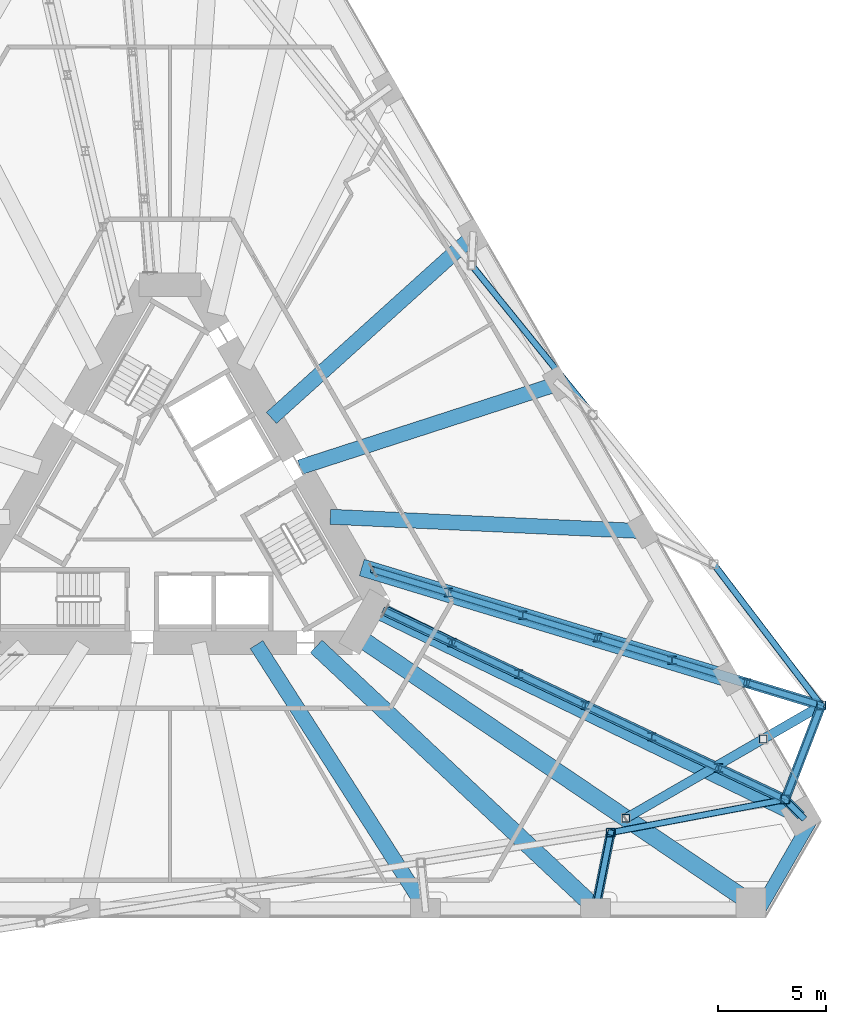
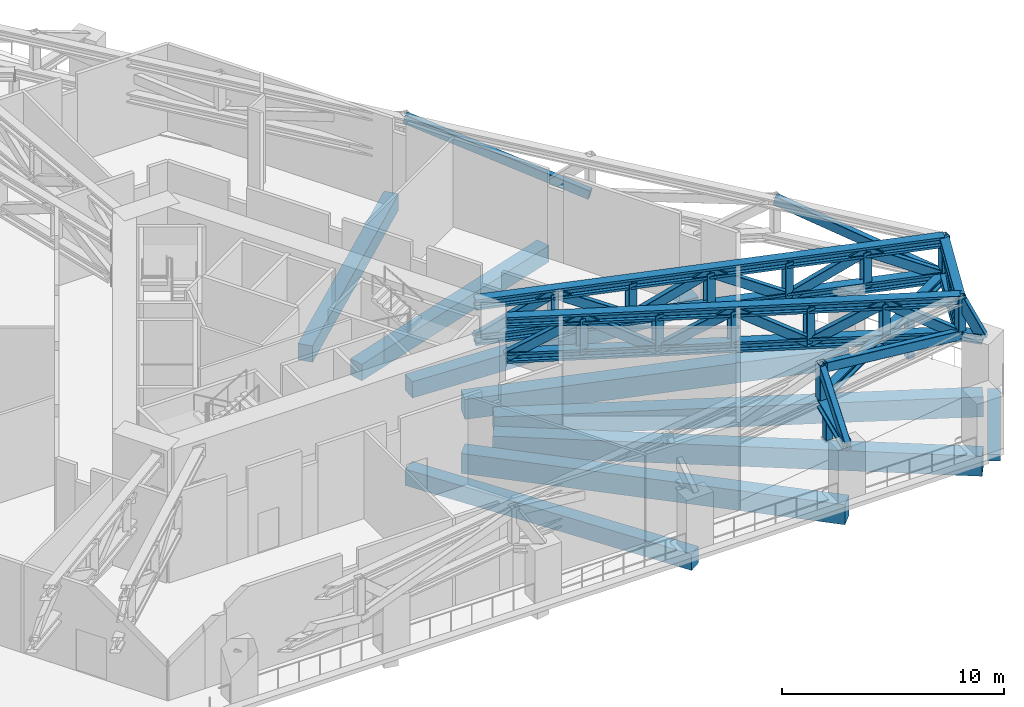
# One storey, part 6 of 20: 42 members, 9 beams.
"""IFC4 building model written with IfcOpenShell, lengths in metres."""

from ifc_helpers import new_model, si_unit, direction, frame, origin, origin_2d, place, context, subcontext, project, spatial, rectangle, hollow_rectangle, i_section, extrude, material, material_profile, profile_set, type_object, element, save


model = new_model("IFC4")

# Units and contexts
model_context = context("Model", 3, precision=1e-05, world=origin(), true_north=direction((0.0, 1.0)))
body_context = subcontext(model_context, "Body", "Model", "MODEL_VIEW")
ifc_project = project(units=[si_unit("LENGTHUNIT", "METRE"), si_unit("AREAUNIT", "SQUARE_METRE"), si_unit("VOLUMEUNIT", "CUBIC_METRE"), si_unit("PLANEANGLEUNIT", "RADIAN"), si_unit("MASSUNIT", "GRAM", prefix="KILO")], contexts=[model_context])

# Site, building, storey
site_placement = place(None, origin())
site = spatial("IfcSite", under=ifc_project, at=site_placement, CompositionType="ELEMENT")
building_placement = place(site_placement, origin())
building = spatial("IfcBuilding", under=site, at=building_placement, Name="Tramontana Tower", CompositionType="ELEMENT")
storey_placement = place(building_placement, frame((0.0, 0.0, 46.0)))
storey = spatial("IfcBuildingStorey", under=building, at=storey_placement, Name="L09", CompositionType="ELEMENT", Elevation=46.0)

# Members
ifc_material_1 = material(Name="Steel ASTM A500 Grade C", Category="steel")
ifc_material_profile_1 = material_profile(ifc_material_1, hollow_rectangle(XDim=0.406494140625, YDim=0.406494140625, WallThickness=0.0146484375, InnerFilletRadius=0.0146484375, OuterFilletRadius=0.029541015625, at=origin_2d()), Name="HSS16X16X5/8")
ifc_profile_set_1 = profile_set([ifc_material_profile_1], Name="Steel ASTM A500 Grade C")
member_type_1 = type_object("IfcMemberType", Name="Belt truss HSS16X16X5/8 post", PredefinedType="POST", material=ifc_profile_set_1)
for number, where, z_axis, x_axis, name in (
    (1, (20.501220703125, -15.02783203125, 2.8984375), (0.0, 0.0, 1.0), (1.0, 0.0, 0.0), "Belt truss post C1F10"),
    (2, (28.609375, -13.490478515625, 2.8984375), (0.0, 0.0, 1.0), (1.0, 0.0, 0.0), "Belt truss post C1K4"),
    (3, (30.287841796875, -9.117919921875, 2.8984375), (0.0, 0.0, 1.0), (1.0, 0.0, 0.0), "Belt truss post C1K5"),
):
    element("IfcMember", number, at=place(storey_placement, frame(where, z_axis=z_axis, x_axis=x_axis)), inside=storey, type_object=member_type_1, Name=name, PredefinedType="POST", context=body_context, shape_type="SweptSolid", body=[
        extrude(hollow_rectangle(XDim=0.406494140625, YDim=0.406494140625, WallThickness=0.0146484375, InnerFilletRadius=0.0146484375, OuterFilletRadius=0.029541015625, at=origin_2d()), origin(), (0.0, 0.0, 1.0), 1.95166015625),
    ])
ifc_material_2 = material(Name="Steel ASTM A500 Grade C", Category="steel")
ifc_material_profile_2 = material_profile(ifc_material_2, hollow_rectangle(XDim=0.3046875, YDim=0.508056640625, WallThickness=0.0146484375, InnerFilletRadius=0.0146484375, OuterFilletRadius=0.029541015625, at=origin_2d()), Name="HSS20X12X5/8")
ifc_profile_set_2 = profile_set([ifc_material_profile_2], Name="Steel ASTM A500 Grade C")
member_type_2 = type_object("IfcMemberType", Name="Belt truss HSS20X12X5/8 brace", PredefinedType="BRACE", material=ifc_profile_set_2)
for number, where, z_axis, x_axis, name in (
    (4, (20.501220703125, -15.02783203125, 4.600830078125), (0.956122354274, 0.181286395016, -0.230141883715), (-0.186286877718, 0.982495393979, 0.0), "Belt truss diagonal S1.6"),
    (5, (30.287841796875, -9.117919921875, 2.649169921875), (-0.58923288346, 0.774492745925, 0.230142554863), (-0.795855965763, -0.605485988078, 0.0), "Belt truss diagonal S2.1"),
):
    element("IfcMember", number, at=place(storey_placement, frame(where, z_axis=z_axis, x_axis=x_axis)), inside=storey, type_object=member_type_2, Name=name, PredefinedType="BRACE", context=body_context, shape_type="SweptSolid", body=[
        extrude(hollow_rectangle(XDim=0.3046875, YDim=0.508056640625, WallThickness=0.0146484375, InnerFilletRadius=0.0146484375, OuterFilletRadius=0.029541015625, at=origin_2d()), origin(), (0.0, 0.0, 1.0), 8.480224609375),
    ])
member_1_placement = place(storey_placement, frame((19.6591796875, 4.404541015625, 2.649169921875), z_axis=(-0.614859306605, 0.759304730045, 0.213082988555), x_axis=(-0.777152739185, -0.629312021161, 0.0)))
element("IfcMember", 6, at=member_1_placement, inside=storey, type_object=member_type_2, Name="Belt truss diagonal S2.3", PredefinedType="BRACE", context=body_context, shape_type="SweptSolid", body=[
    extrude(hollow_rectangle(XDim=0.3046875, YDim=0.508056640625, WallThickness=0.0146484375, InnerFilletRadius=0.0146484375, OuterFilletRadius=0.029541015625, at=origin_2d()), origin(), (0.0, 0.0, 1.0), 9.1591796875),
])
member_2_placement = place(storey_placement, frame((28.609375, -13.490478515625, 2.649169921875), z_axis=(0.330797421865, 0.861757356451, 0.384639213147), x_axis=(-0.933580511384, 0.358367728407, 0.0)))
element("IfcMember", 7, at=member_2_placement, inside=storey, type_object=member_type_2, Name="Belt truss diagonal K2.1", PredefinedType="BRACE", context=body_context, shape_type="SweptSolid", body=[
    extrude(hollow_rectangle(XDim=0.3046875, YDim=0.508056640625, WallThickness=0.0146484375, InnerFilletRadius=0.0146484375, OuterFilletRadius=0.029541015625, at=origin_2d()), origin(), (0.0, 0.0, 1.0), 5.073974609375),
])
ifc_material_3 = material(Name="Steel ASTM A992 Grade 50", Category="steel")
ifc_material_profile_3 = material_profile(ifc_material_3, i_section(OverallWidth=0.431884765625, OverallDepth=0.49853515625, WebThickness=0.0556640625, FlangeThickness=0.0888671875, FilletRadius=0.01513671875, at=origin_2d()), Name="W14X500")
ifc_profile_set_3 = profile_set([ifc_material_profile_3], Name="Steel ASTM A992 Grade 50")
member_type_3 = type_object("IfcMemberType", Name="Belt truss W14X500 chord", PredefinedType="CHORD", material=ifc_profile_set_3)
for number, where, z_axis, x_axis, name in (
    (8, (28.609375, -13.490478515625, 2.649169921875), (0.358367728407, 0.933580511384, 0.0), (-0.933580511384, 0.358367728407, 0.0), "Belt truss bottom chord K2"),
    (9, (28.609375, -13.490478515625, 4.600830078125), (0.358367728407, 0.933580511384, 0.0), (-0.933580511384, 0.358367728407, 0.0), "Belt truss top chord K2"),
):
    element("IfcMember", number, at=place(storey_placement, frame(where, z_axis=z_axis, x_axis=x_axis)), inside=storey, type_object=member_type_3, Name=name, PredefinedType="CHORD", context=body_context, shape_type="SweptSolid", body=[
        extrude(i_section(OverallWidth=0.431884765625, OverallDepth=0.49853515625, WebThickness=0.0556640625, FlangeThickness=0.0888671875, FilletRadius=0.01513671875, at=origin_2d()), origin(), (0.0, 0.0, 1.0), 4.68359375),
    ])

# Beams
ifc_material_4 = material(Name="Concrete 40 MPa", Category="concrete")
ifc_material_profile_4 = material_profile(ifc_material_4, rectangle(XDim=0.60009765625, YDim=0.35009765625, at=origin_2d()), Name="RC EDGE BEAM 600X350 40 MPa")
ifc_profile_set_4 = profile_set([ifc_material_profile_4], Name="Concrete 40 MPa")
beam_type_1 = type_object("IfcBeamType", Name="RC EDGE BEAM 600X350 40 MPa", PredefinedType="SPANDREL", material=ifc_profile_set_4)
beam_1_placement = place(storey_placement, frame((27.322998046875, -18.77490234375, -0.52490234375), z_axis=(0.50000986103, 0.866019710441, 0.0), x_axis=(-0.866019710441, 0.50000986103, 0.0)))
element("IfcBeam", 10, at=beam_1_placement, inside=storey, type_object=beam_type_1, Name="Spandrel beam K2 L09", PredefinedType="SPANDREL", context=body_context, shape_type="SweptSolid", body=[
    extrude(rectangle(XDim=0.60009765625, YDim=0.35009765625, at=origin_2d()), origin(), (0.0, 0.0, 1.0), 5.1962890625),
])
ifc_material_5 = material(Name="Concrete 40 MPa", Category="concrete")
ifc_material_profile_5 = material_profile(ifc_material_5, rectangle(XDim=0.699951171875, YDim=0.89990234375, at=origin_2d()), Name="RC GIRDER 700X900 40 MPa")
ifc_profile_set_5 = profile_set([ifc_material_profile_5], Name="Concrete 40 MPa")
beam_type_2 = type_object("IfcBeamType", Name="RC GIRDER 700X900 40 MPa", PredefinedType="BEAM", material=ifc_profile_set_5)
for number, where, z_axis, x_axis, name in (
    (11, (11.876953125, -18.550048828125, -0.800048828125), (-0.539217827497, 0.84216633423, 0.0), (-0.84216633423, -0.539217827497, 0.0), "Radial girder C0F11 L09"),
    (12, (22.003173828125, -1.0107421875, -0.800048828125), (-0.998946541736, 0.045889070085, 0.0), (-0.045889070085, -0.998946541736, 0.0), "Radial girder C0F14 L09"),
):
    element("IfcBeam", number, at=place(storey_placement, frame(where, z_axis=z_axis, x_axis=x_axis)), inside=storey, type_object=beam_type_2, Name=name, PredefinedType="BEAM", context=body_context, shape_type="SweptSolid", body=[
        extrude(rectangle(XDim=0.699951171875, YDim=0.89990234375, at=origin_2d()), origin(), (0.0, 0.0, 1.0), 14.5615234375),
    ])
beam_2_placement = place(storey_placement, frame((18.044189453125, 5.846435546875, -0.800048828125), z_axis=(-0.951314408854, -0.30822215285, 0.0), x_axis=(0.30822215285, -0.951314408854, 0.0)))
element("IfcBeam", 13, at=beam_2_placement, inside=storey, type_object=beam_type_2, Name="Radial girder C0F15 L09", PredefinedType="BEAM", context=body_context, shape_type="SweptSolid", body=[
    extrude(rectangle(XDim=0.699951171875, YDim=0.89990234375, at=origin_2d()), origin(), (0.0, 0.0, 1.0), 12.61572265625),
])
beam_3_placement = place(storey_placement, frame((14.085205078125, 12.70361328125, -0.800048828125), z_axis=(-0.742588406407, -0.669748056116, 0.0), x_axis=(0.669748056116, -0.742588406407, 0.0)))
element("IfcBeam", 14, at=beam_3_placement, inside=storey, type_object=beam_type_2, Name="Radial girder C0F16 L09", PredefinedType="BEAM", context=body_context, shape_type="SweptSolid", body=[
    extrude(rectangle(XDim=0.699951171875, YDim=0.89990234375, at=origin_2d()), origin(), (0.0, 0.0, 1.0), 12.615966796875),
])
ifc_material_6 = material(Name="Concrete 40 MPa", Category="concrete")
ifc_material_profile_6 = material_profile(ifc_material_6, rectangle(XDim=0.800048828125, YDim=1.10009765625, at=origin_2d()), Name="RC GIRDER 800X1100 40 MPa")
ifc_profile_set_6 = profile_set([ifc_material_profile_6], Name="Concrete 40 MPa")
beam_type_3 = type_object("IfcBeamType", Name="RC GIRDER 800X1100 40 MPa", PredefinedType="BEAM", material=ifc_profile_set_6)
beam_4_placement = place(storey_placement, frame((19.794921875, -18.550048828125, -0.89990234375), z_axis=(-0.72967229952, 0.683796998614, 0.0), x_axis=(-0.683796998614, -0.72967229952, 0.0)))
element("IfcBeam", 15, at=beam_4_placement, inside=storey, type_object=beam_type_3, Name="Radial girder C0F12 L09", PredefinedType="BEAM", context=body_context, shape_type="SweptSolid", body=[
    extrude(rectangle(XDim=0.800048828125, YDim=1.10009765625, at=origin_2d()), origin(), (0.0, 0.0, 1.0), 17.806884765625),
])
beam_5_placement = place(storey_placement, frame((27.0126953125, -18.300048828125, -0.89990234375), z_axis=(-0.827898052271, 0.560878609903, 0.0), x_axis=(-0.560878609903, -0.827898052271, 0.0)))
element("IfcBeam", 16, at=beam_5_placement, inside=storey, type_object=beam_type_3, Name="Radial girder C0K4 L09", PredefinedType="BEAM", context=body_context, shape_type="SweptSolid", body=[
    extrude(rectangle(XDim=0.800048828125, YDim=1.10009765625, at=origin_2d()), origin(), (0.0, 0.0, 1.0), 22.1494140625),
])
beam_6_placement = place(storey_placement, frame((29.354736328125, -14.243896484375, -0.89990234375), z_axis=(-0.899679009302, 0.436552036098, 0.0), x_axis=(-0.436552036098, -0.899679009302, 0.0)))
element("IfcBeam", 17, at=beam_6_placement, inside=storey, type_object=beam_type_3, Name="Radial girder C0K5 L09", PredefinedType="BEAM", context=body_context, shape_type="SweptSolid", body=[
    extrude(rectangle(XDim=0.800048828125, YDim=1.10009765625, at=origin_2d()), origin(), (0.0, 0.0, 1.0), 22.149658203125),
])
beam_7_placement = place(storey_placement, frame((25.962158203125, -7.867919921875, -0.89990234375), z_axis=(-0.95701990712, 0.290022236004, 0.0), x_axis=(-0.290022236004, -0.95701990712, 0.0)))
element("IfcBeam", 18, at=beam_7_placement, inside=storey, type_object=beam_type_3, Name="Radial girder C0F13 L09", PredefinedType="BEAM", context=body_context, shape_type="SweptSolid", body=[
    extrude(rectangle(XDim=0.800048828125, YDim=1.10009765625, at=origin_2d()), origin(), (0.0, 0.0, 1.0), 17.806640625),
])

# Members
ifc_material_7 = material(Name="Steel ASTM A500 Grade C", Category="steel")
ifc_material_profile_7 = material_profile(ifc_material_7, hollow_rectangle(XDim=0.355712890625, YDim=0.355712890625, WallThickness=0.01171875, InnerFilletRadius=0.01171875, OuterFilletRadius=0.023681640625, at=origin_2d()), Name="HSS14X14X1/2")
ifc_profile_set_7 = profile_set([ifc_material_profile_7], Name="Steel ASTM A500 Grade C")
member_type_4 = type_object("IfcMemberType", Name="Transfer truss HSS14X14X1/2 post", PredefinedType="POST", material=ifc_profile_set_7)
for number, where, z_axis, x_axis, name in (
    (19, (27.5849609375, -10.678466796875, 0.0400390625), (0.0, 0.0, 1.0), (1.0, 0.0, 0.0), "Transfer truss post C1K5.1"),
    (20, (21.2021484375, -14.363525390625, 0.0400390625), (0.0, 0.0, 1.0), (1.0, 0.0, 0.0), "Transfer truss post C1K5.2"),
):
    element("IfcMember", number, at=place(storey_placement, frame(where, z_axis=z_axis, x_axis=x_axis)), inside=storey, type_object=member_type_4, Name=name, PredefinedType="POST", context=body_context, shape_type="SweptSolid", body=[
        extrude(hollow_rectangle(XDim=0.355712890625, YDim=0.355712890625, WallThickness=0.01171875, InnerFilletRadius=0.01171875, OuterFilletRadius=0.023681640625, at=origin_2d()), origin(), (0.0, 0.0, 1.0), 2.35986328125),
    ])
ifc_material_8 = material(Name="Steel ASTM A500 Grade C", Category="steel")
ifc_material_profile_8 = material_profile(ifc_material_8, hollow_rectangle(XDim=0.3046875, YDim=0.508056640625, WallThickness=0.0146484375, InnerFilletRadius=0.0146484375, OuterFilletRadius=0.029541015625, at=origin_2d()), Name="HSS20X12X5/8")
ifc_profile_set_8 = profile_set([ifc_material_profile_8], Name="Steel ASTM A500 Grade C")
member_type_5 = type_object("IfcMemberType", Name="Transfer truss HSS20X12X5/8 brace", PredefinedType="BRACE", material=ifc_profile_set_8)
member_3_placement = place(storey_placement, frame((19.794921875, -18.550048828125, 2.649169921875), z_axis=(0.172762818328, 0.861544825448, 0.477381945979), x_axis=(-0.980481221509, 0.19661275205, 0.0)))
element("IfcMember", 21, at=member_3_placement, inside=storey, type_object=member_type_5, Name="Transfer truss strut C1F10 diagonal", PredefinedType="BRACE", context=body_context, shape_type="SweptSolid", body=[
    extrude(hollow_rectangle(XDim=0.3046875, YDim=0.508056640625, WallThickness=0.0146484375, InnerFilletRadius=0.0146484375, OuterFilletRadius=0.029541015625, at=origin_2d()), origin(), (0.0, 0.0, 1.0), 4.08837890625),
])
member_4_placement = place(storey_placement, frame((29.354736328125, -14.243896484375, 2.649169921875), z_axis=(-0.335619680002, 0.339247406644, 0.878789296408), x_axis=(-0.710897540433, -0.703295590066, 0.0)))
element("IfcMember", 22, at=member_4_placement, inside=storey, type_object=member_type_5, Name="Transfer truss strut C1K4 diagonal", PredefinedType="BRACE", context=body_context, shape_type="SweptSolid", body=[
    extrude(hollow_rectangle(XDim=0.3046875, YDim=0.508056640625, WallThickness=0.0146484375, InnerFilletRadius=0.0146484375, OuterFilletRadius=0.029541015625, at=origin_2d()), origin(), (0.0, 0.0, 1.0), 2.220947265625),
])
member_5_placement = place(storey_placement, frame((10.018310546875, -4.727783203125, 2.649169921875), z_axis=(0.785929911835, -0.370454080261, 0.495053480042), x_axis=(0.426366747673, 0.904550383604, 0.0)))
element("IfcMember", 23, at=member_5_placement, inside=storey, type_object=member_type_5, Name="Transfer truss diagonal 3.1", PredefinedType="BRACE", context=body_context, shape_type="SweptSolid", body=[
    extrude(hollow_rectangle(XDim=0.3046875, YDim=0.508056640625, WallThickness=0.0146484375, InnerFilletRadius=0.0146484375, OuterFilletRadius=0.029541015625, at=origin_2d()), origin(), (0.0, 0.0, 1.0), 3.9423828125),
])
for number, where, z_axis, x_axis, name in (
    (24, (13.11669921875, -6.188232421875, 4.600830078125), (0.785953586109, -0.370436050433, -0.495029386019), (0.426339260624, 0.904563339325, 0.0), "Transfer truss diagonal 3.2"),
    (25, (16.21533203125, -7.648681640625, 2.649169921875), (0.785953586109, -0.370436050433, 0.495029386019), (0.426339260624, 0.904563339325, 0.0), "Transfer truss diagonal 3.3"),
):
    element("IfcMember", number, at=place(storey_placement, frame(where, z_axis=z_axis, x_axis=x_axis)), inside=storey, type_object=member_type_5, Name=name, PredefinedType="BRACE", context=body_context, shape_type="SweptSolid", body=[
        extrude(hollow_rectangle(XDim=0.3046875, YDim=0.508056640625, WallThickness=0.0146484375, InnerFilletRadius=0.0146484375, OuterFilletRadius=0.029541015625, at=origin_2d()), origin(), (0.0, 0.0, 1.0), 3.942626953125),
    ])
member_6_placement = place(storey_placement, frame((19.31396484375, -9.109130859375, 4.600830078125), z_axis=(0.785929911835, -0.370454080261, -0.495053480042), x_axis=(0.426366747673, 0.904550383604, 0.0)))
element("IfcMember", 26, at=member_6_placement, inside=storey, type_object=member_type_5, Name="Transfer truss diagonal 3.4", PredefinedType="BRACE", context=body_context, shape_type="SweptSolid", body=[
    extrude(hollow_rectangle(XDim=0.3046875, YDim=0.508056640625, WallThickness=0.0146484375, InnerFilletRadius=0.0146484375, OuterFilletRadius=0.029541015625, at=origin_2d()), origin(), (0.0, 0.0, 1.0), 3.9423828125),
])
member_7_placement = place(storey_placement, frame((22.412353515625, -10.569580078125, 2.649169921875), z_axis=(0.785953586109, -0.370436050433, 0.495029386019), x_axis=(0.426339260624, 0.904563339325, 0.0)))
element("IfcMember", 27, at=member_7_placement, inside=storey, type_object=member_type_5, Name="Transfer truss diagonal 3.5", PredefinedType="BRACE", context=body_context, shape_type="SweptSolid", body=[
    extrude(hollow_rectangle(XDim=0.3046875, YDim=0.508056640625, WallThickness=0.0146484375, InnerFilletRadius=0.0146484375, OuterFilletRadius=0.029541015625, at=origin_2d()), origin(), (0.0, 0.0, 1.0), 3.942626953125),
])
member_8_placement = place(storey_placement, frame((25.510986328125, -12.030029296875, 4.600830078125), z_axis=(0.785929911835, -0.370454080261, -0.495053480042), x_axis=(0.426366747673, 0.904550383604, 0.0)))
element("IfcMember", 28, at=member_8_placement, inside=storey, type_object=member_type_5, Name="Transfer truss diagonal 3.6", PredefinedType="BRACE", context=body_context, shape_type="SweptSolid", body=[
    extrude(hollow_rectangle(XDim=0.3046875, YDim=0.508056640625, WallThickness=0.0146484375, InnerFilletRadius=0.0146484375, OuterFilletRadius=0.029541015625, at=origin_2d()), origin(), (0.0, 0.0, 1.0), 3.9423828125),
])
member_9_placement = place(storey_placement, frame((9.468505859375, -2.820068359375, 2.649169921875), z_axis=(0.842800774055, -0.254921587819, 0.474027255878), x_axis=(0.289515778812, 0.957173241278, 0.0)))
element("IfcMember", 29, at=member_9_placement, inside=storey, type_object=member_type_5, Name="Transfer truss diagonal 4.1", PredefinedType="BRACE", context=body_context, shape_type="SweptSolid", body=[
    extrude(hollow_rectangle(XDim=0.3046875, YDim=0.508056640625, WallThickness=0.0146484375, InnerFilletRadius=0.0146484375, OuterFilletRadius=0.029541015625, at=origin_2d()), origin(), (0.0, 0.0, 1.0), 4.1171875),
])
member_10_placement = place(storey_placement, frame((12.9384765625, -3.86962890625, 4.600830078125), z_axis=(0.842783594951, -0.254934328363, -0.474050946949), x_axis=(0.289534442364, 0.957167595923, 0.0)))
element("IfcMember", 30, at=member_10_placement, inside=storey, type_object=member_type_5, Name="Transfer truss diagonal 4.2", PredefinedType="BRACE", context=body_context, shape_type="SweptSolid", body=[
    extrude(hollow_rectangle(XDim=0.3046875, YDim=0.508056640625, WallThickness=0.0146484375, InnerFilletRadius=0.0146484375, OuterFilletRadius=0.029541015625, at=origin_2d()), origin(), (0.0, 0.0, 1.0), 4.116943359375),
])
for number, where, z_axis, x_axis, name in (
    (31, (16.408203125, -4.919189453125, 2.649169921875), (0.842788032825, -0.254977030968, 0.474020089665), (0.289577477111, 0.95715457725, 0.0), "Transfer truss diagonal 4.3"),
    (32, (19.878173828125, -5.968994140625, 4.600830078125), (0.842800774055, -0.254921587819, -0.474027255878), (0.289515778812, 0.957173241278, 0.0), "Transfer truss diagonal 4.4"),
    (33, (23.34814453125, -7.0185546875, 2.649169921875), (0.842788032825, -0.254977030968, 0.474020089665), (0.289577477111, 0.95715457725, 0.0), "Transfer truss diagonal 4.5"),
):
    element("IfcMember", number, at=place(storey_placement, frame(where, z_axis=z_axis, x_axis=x_axis)), inside=storey, type_object=member_type_5, Name=name, PredefinedType="BRACE", context=body_context, shape_type="SweptSolid", body=[
        extrude(hollow_rectangle(XDim=0.3046875, YDim=0.508056640625, WallThickness=0.0146484375, InnerFilletRadius=0.0146484375, OuterFilletRadius=0.029541015625, at=origin_2d()), origin(), (0.0, 0.0, 1.0), 4.1171875),
    ])
member_11_placement = place(storey_placement, frame((26.818115234375, -8.068359375, 4.600830078125), z_axis=(0.842783594951, -0.254934328363, -0.474050946949), x_axis=(0.289534442364, 0.957167595923, 0.0)))
element("IfcMember", 34, at=member_11_placement, inside=storey, type_object=member_type_5, Name="Transfer truss diagonal 4.6", PredefinedType="BRACE", context=body_context, shape_type="SweptSolid", body=[
    extrude(hollow_rectangle(XDim=0.3046875, YDim=0.508056640625, WallThickness=0.0146484375, InnerFilletRadius=0.0146484375, OuterFilletRadius=0.029541015625, at=origin_2d()), origin(), (0.0, 0.0, 1.0), 4.116943359375),
])
ifc_material_9 = material(Name="Steel ASTM A992 Grade 50", Category="steel")
ifc_material_profile_9 = material_profile(ifc_material_9, i_section(OverallWidth=0.4033203125, OverallDepth=0.406494140625, WebThickness=0.027099609375, FlangeThickness=0.04443359375, FilletRadius=0.01513671875, at=origin_2d()), Name="W14X233")
ifc_profile_set_9 = profile_set([ifc_material_profile_9], Name="Steel ASTM A992 Grade 50")
member_type_6 = type_object("IfcMemberType", Name="Transfer truss W14X233 post", PredefinedType="POST", material=ifc_profile_set_9)
for number, where, z_axis, x_axis, name in (
    (35, (13.11669921875, -6.188232421875, 2.649169921875), (0.0, 0.0, 1.0), (1.0, 0.0, 0.0), "Transfer truss post 3.1"),
    (36, (16.21533203125, -7.648681640625, 2.649169921875), (0.0, 0.0, 1.0), (1.0, 0.0, 0.0), "Transfer truss post 3.2"),
    (37, (19.31396484375, -9.109130859375, 2.649169921875), (0.0, 0.0, 1.0), (1.0, 0.0, 0.0), "Transfer truss post 3.3"),
    (38, (22.412353515625, -10.569580078125, 2.649169921875), (0.0, 0.0, 1.0), (1.0, 0.0, 0.0), "Transfer truss post 3.4"),
    (39, (25.510986328125, -12.030029296875, 2.649169921875), (0.0, 0.0, 1.0), (1.0, 0.0, 0.0), "Transfer truss post 3.5"),
    (40, (12.9384765625, -3.86962890625, 2.649169921875), (0.0, 0.0, 1.0), (1.0, 0.0, 0.0), "Transfer truss post 4.1"),
    (41, (16.408203125, -4.919189453125, 2.649169921875), (0.0, 0.0, 1.0), (1.0, 0.0, 0.0), "Transfer truss post 4.2"),
    (42, (19.878173828125, -5.968994140625, 2.649169921875), (0.0, 0.0, 1.0), (1.0, 0.0, 0.0), "Transfer truss post 4.3"),
    (43, (23.34814453125, -7.0185546875, 2.649169921875), (0.0, 0.0, 1.0), (1.0, 0.0, 0.0), "Transfer truss post 4.4"),
    (44, (26.818115234375, -8.068359375, 2.649169921875), (0.0, 0.0, 1.0), (1.0, 0.0, 0.0), "Transfer truss post 4.5"),
):
    element("IfcMember", number, at=place(storey_placement, frame(where, z_axis=z_axis, x_axis=x_axis)), inside=storey, type_object=member_type_6, Name=name, PredefinedType="POST", context=body_context, shape_type="SweptSolid", body=[
        extrude(i_section(OverallWidth=0.4033203125, OverallDepth=0.406494140625, WebThickness=0.027099609375, FlangeThickness=0.04443359375, FilletRadius=0.01513671875, at=origin_2d()), origin(), (0.0, 0.0, 1.0), 1.95166015625),
    ])
ifc_material_10 = material(Name="Steel ASTM A992 Grade 50", Category="steel")
ifc_material_profile_10 = material_profile(ifc_material_10, i_section(OverallWidth=0.431884765625, OverallDepth=0.49853515625, WebThickness=0.0556640625, FlangeThickness=0.0888671875, FilletRadius=0.01513671875, at=origin_2d()), Name="W14X500")
ifc_profile_set_10 = profile_set([ifc_material_profile_10], Name="Steel ASTM A992 Grade 50")
member_type_7 = type_object("IfcMemberType", Name="Transfer truss W14X500 chord", PredefinedType="CHORD", material=ifc_profile_set_10)
member_12_placement = place(storey_placement, frame((30.287841796875, -9.117919921875, 2.649169921875), z_axis=(-0.866026313376, -0.499998424538, 0.0), x_axis=(0.499998424538, -0.866026313376, 0.0)))
element("IfcMember", 45, at=member_12_placement, inside=storey, type_object=member_type_7, Name="Transfer truss girder C1K5", PredefinedType="CHORD", context=body_context, shape_type="SweptSolid", body=[
    extrude(i_section(OverallWidth=0.431884765625, OverallDepth=0.49853515625, WebThickness=0.0556640625, FlangeThickness=0.0888671875, FilletRadius=0.01513671875, at=origin_2d()), origin(), (0.0, 0.0, 1.0), 10.4912109375),
])
ifc_material_11 = material(Name="Steel ASTM A992 Grade 50", Category="steel")
ifc_material_profile_11 = material_profile(ifc_material_11, i_section(OverallWidth=0.431884765625, OverallDepth=0.49853515625, WebThickness=0.0556640625, FlangeThickness=0.0888671875, FilletRadius=0.01513671875, at=origin_2d()), Name="W14X500")
ifc_profile_set_11 = profile_set([ifc_material_profile_11], Name="Steel ASTM A992 Grade 50")
member_type_8 = type_object("IfcMemberType", Name="Transfer truss W14X500 strut", PredefinedType="STRUT", material=ifc_profile_set_11)
member_13_placement = place(storey_placement, frame((19.794921875, -18.550048828125, 2.649169921875), z_axis=(0.19661275205, 0.980481221509, 0.0), x_axis=(-0.980481221509, 0.19661275205, 0.0)))
element("IfcMember", 46, at=member_13_placement, inside=storey, type_object=member_type_8, Name="Transfer truss strut C1F10 bottom", PredefinedType="STRUT", context=body_context, shape_type="SweptSolid", body=[
    extrude(i_section(OverallWidth=0.431884765625, OverallDepth=0.49853515625, WebThickness=0.0556640625, FlangeThickness=0.0888671875, FilletRadius=0.01513671875, at=origin_2d()), origin(), (0.0, 0.0, 1.0), 3.59228515625),
])
member_14_placement = place(storey_placement, frame((29.354736328125, -14.243896484375, 2.649169921875), z_axis=(-0.703295590066, 0.710897540433, 0.0), x_axis=(-0.710897540433, -0.703295590066, 0.0)))
element("IfcMember", 47, at=member_14_placement, inside=storey, type_object=member_type_8, Name="Transfer truss strut C1K4 bottom", PredefinedType="STRUT", context=body_context, shape_type="SweptSolid", body=[
    extrude(i_section(OverallWidth=0.431884765625, OverallDepth=0.49853515625, WebThickness=0.0556640625, FlangeThickness=0.0888671875, FilletRadius=0.01513671875, at=origin_2d()), origin(), (0.0, 0.0, 1.0), 1.059814453125),
])
ifc_material_12 = material(Name="Steel ASTM A992 Grade 50", Category="steel")
ifc_material_profile_12 = material_profile(ifc_material_12, i_section(OverallWidth=0.4541015625, OverallDepth=0.568359375, WebThickness=0.077880859375, FlangeThickness=0.12548828125, FilletRadius=0.01513671875, at=origin_2d()), Name="W14X730")
ifc_profile_set_12 = profile_set([ifc_material_profile_12], Name="Steel ASTM A992 Grade 50")
member_type_9 = type_object("IfcMemberType", Name="Transfer truss W14X730 chord", PredefinedType="CHORD", material=ifc_profile_set_12)
for number, where, z_axis, x_axis, name in (
    (48, (10.018310546875, -4.727783203125, 2.649169921875), (0.904556861778, -0.426353003755, 0.0), (0.426353003755, 0.904556861778, 0.0), "Transfer truss bottom chord 3"),
    (49, (10.018310546875, -4.727783203125, 4.600830078125), (0.904556861778, -0.426353003755, 0.0), (0.426353003755, 0.904556861778, 0.0), "Transfer truss top chord 3"),
):
    element("IfcMember", number, at=place(storey_placement, frame(where, z_axis=z_axis, x_axis=x_axis)), inside=storey, type_object=member_type_9, Name=name, PredefinedType="CHORD", context=body_context, shape_type="SweptSolid", body=[
        extrude(i_section(OverallWidth=0.4541015625, OverallDepth=0.568359375, WebThickness=0.077880859375, FlangeThickness=0.12548828125, FilletRadius=0.01513671875, at=origin_2d()), origin(), (0.0, 0.0, 1.0), 20.552734375),
    ])
for number, where, z_axis, x_axis, name in (
    (50, (9.468505859375, -2.820068359375, 2.649169921875), (0.957165138378, -0.289542566602, 0.0), (0.289542566602, 0.957165138378, 0.0), "Transfer truss bottom chord 4"),
    (51, (9.468505859375, -2.820068359375, 4.600830078125), (0.957165138378, -0.289542566602, 0.0), (0.289542566602, 0.957165138378, 0.0), "Transfer truss top chord 4"),
):
    element("IfcMember", number, at=place(storey_placement, frame(where, z_axis=z_axis, x_axis=x_axis)), inside=storey, type_object=member_type_9, Name=name, PredefinedType="CHORD", context=body_context, shape_type="SweptSolid", body=[
        extrude(i_section(OverallWidth=0.4541015625, OverallDepth=0.568359375, WebThickness=0.077880859375, FlangeThickness=0.12548828125, FilletRadius=0.01513671875, at=origin_2d()), origin(), (0.0, 0.0, 1.0), 21.7509765625),
    ])

save(model, "model.ifc")
